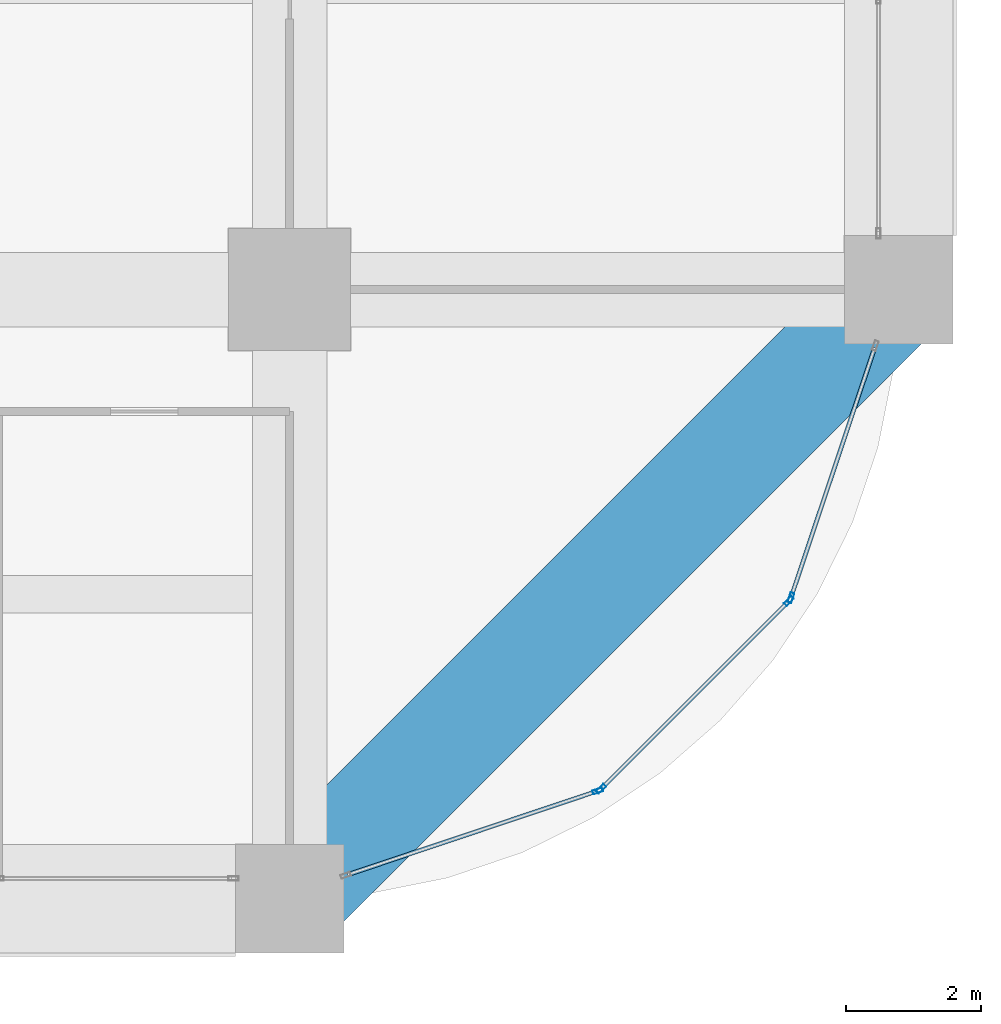
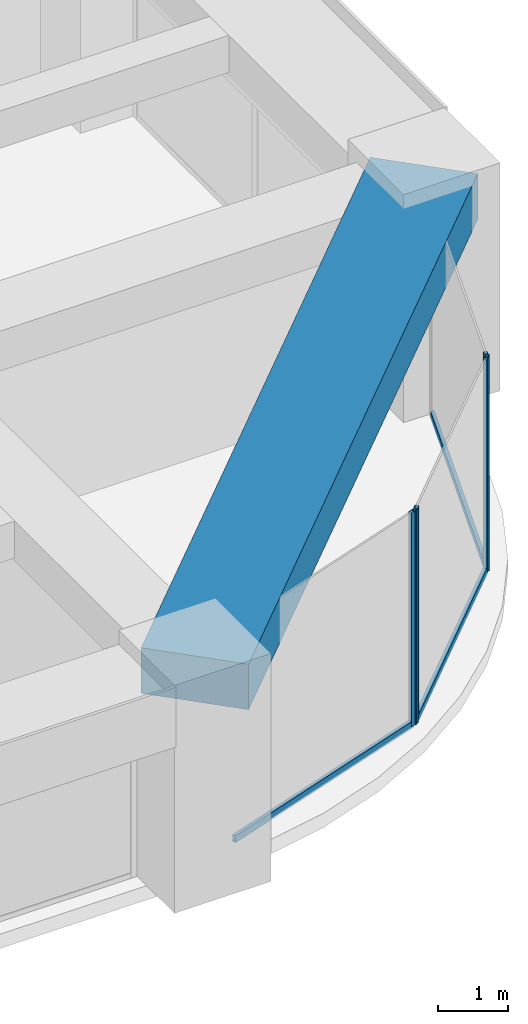
# One storey, part 17 of 43: 7 members, 1 beam, 3 elements without a shape of their own.
"""IFC4 building model written with IfcOpenShell, lengths in metres."""

from ifc_helpers import new_model, si_unit, direction, frame, origin, origin_2d, place, context, subcontext, project, spatial, rectangle, hollow_rectangle, extrude, material, material_profile, profile_set, type_object, element, aggregate, save


model = new_model("IFC4")

# Units and contexts
model_context = context("Model", 3, precision=1e-05, world=origin(), true_north=direction((0.0, 1.0)))
body_context = subcontext(model_context, "Body", "Model", "MODEL_VIEW")
ifc_project = project(units=[si_unit("LENGTHUNIT", "METRE"), si_unit("AREAUNIT", "SQUARE_METRE"), si_unit("VOLUMEUNIT", "CUBIC_METRE"), si_unit("PLANEANGLEUNIT", "RADIAN"), si_unit("MASSUNIT", "GRAM", prefix="KILO")], contexts=[model_context])

# Site, building, storey
site_placement = place(None, origin())
site = spatial("IfcSite", under=ifc_project, at=site_placement, CompositionType="ELEMENT")
building_placement = place(site_placement, origin())
building = spatial("IfcBuilding", under=site, at=building_placement, Name="Zorevar Civic Tower", CompositionType="ELEMENT")
storey_placement = place(building_placement, frame((0.0, 0.0, 145.0)))
storey = spatial("IfcBuildingStorey", under=building, at=storey_placement, Name="L35", CompositionType="ELEMENT", Elevation=145.0)

# Curtain wall, member
ifc_material_1 = material(Name="Dark grey solar-control glass in black aluminium frame", Category="aluminium")
curtain_wall_type = type_object("IfcCurtainWallType", Name="Curtain wall CW3 mid zone", PredefinedType="NOTDEFINED", material=ifc_material_1)
curtain_wall_1_placement = place(storey_placement, origin())
curtain_wall_1 = element("IfcCurtainWall", 1, at=curtain_wall_1_placement, inside=storey, type_object=curtain_wall_type, Name="CW3 L35", PredefinedType="NOTDEFINED")
ifc_material_2 = material(Name="Aluminium, black anodised", Category="aluminium")
ifc_material_profile_1 = material_profile(ifc_material_2, hollow_rectangle(XDim=0.06005859375, YDim=0.14990234375, WallThickness=0.00390625, at=origin_2d()), Name="AL 150x60x4")
ifc_profile_set_1 = profile_set([ifc_material_profile_1], Name="Aluminium, black anodised")
member_type_1 = type_object("IfcMemberType", Name="CW3 mullion AL 150x60x4", PredefinedType="MULLION", material=ifc_profile_set_1)
member_1_placement = place(storey_placement, frame((58.55078125, 1.59326171875, 0.0), z_axis=(0.0, 0.0, 1.0), x_axis=(-0.317592669603, 0.948227238701, 0.0)))
member_1 = element("IfcMember", 2, at=member_1_placement, type_object=member_type_1, Name="CW3 mullion 2", PredefinedType="MULLION", context=body_context, shape_type="SweptSolid", body=[
    extrude(hollow_rectangle(XDim=0.06005859375, YDim=0.14990234375, WallThickness=0.00390625, at=origin_2d()), origin(), (0.0, 0.0, 1.0), 3.75),
])

# Curtain wall, members
curtain_wall_2_placement = place(storey_placement, origin())
curtain_wall_2 = element("IfcCurtainWall", 3, at=curtain_wall_2_placement, inside=storey, type_object=curtain_wall_type, Name="CW3 L35", PredefinedType="NOTDEFINED")
member_2_placement = place(storey_placement, frame((58.600341796875, 1.6240234375, 0.0), z_axis=(0.0, 0.0, 1.0), x_axis=(-0.707106781187, 0.707106781187, 0.0)))
member_2 = element("IfcMember", 4, at=member_2_placement, type_object=member_type_1, Name="CW3 mullion 1", PredefinedType="MULLION", context=body_context, shape_type="SweptSolid", body=[
    extrude(hollow_rectangle(XDim=0.06005859375, YDim=0.14990234375, WallThickness=0.00390625, at=origin_2d()), origin(), (0.0, 0.0, 1.0), 3.75),
])
member_3_placement = place(storey_placement, frame((61.3759765625, 4.399658203125, 0.0), z_axis=(0.0, 0.0, 1.0), x_axis=(-0.707106781187, 0.707106781187, 0.0)))
member_3 = element("IfcMember", 5, at=member_3_placement, type_object=member_type_1, Name="CW3 mullion 2", PredefinedType="MULLION", context=body_context, shape_type="SweptSolid", body=[
    extrude(hollow_rectangle(XDim=0.06005859375, YDim=0.14990234375, WallThickness=0.00390625, at=origin_2d()), origin(), (0.0, 0.0, 1.0), 3.75),
])

# Curtain wall, member
curtain_wall_3_placement = place(storey_placement, origin())
curtain_wall_3 = element("IfcCurtainWall", 6, at=curtain_wall_3_placement, inside=storey, type_object=curtain_wall_type, Name="CW3 L35", PredefinedType="NOTDEFINED")
member_4_placement = place(storey_placement, frame((61.40673828125, 4.44921875, 0.0), z_axis=(0.0, 0.0, 1.0), x_axis=(-0.948227238701, 0.317592669603, 0.0)))
member_4 = element("IfcMember", 7, at=member_4_placement, type_object=member_type_1, Name="CW3 mullion 1", PredefinedType="MULLION", context=body_context, shape_type="SweptSolid", body=[
    extrude(hollow_rectangle(XDim=0.06005859375, YDim=0.14990234375, WallThickness=0.00390625, at=origin_2d()), origin(), (0.0, 0.0, 1.0), 3.75),
])

# Member
ifc_material_3 = material(Name="Aluminium, black anodised", Category="aluminium")
ifc_material_profile_2 = material_profile(ifc_material_3, hollow_rectangle(XDim=0.06005859375, YDim=0.1201171875, WallThickness=0.0029296875, at=origin_2d()), Name="AL 120x60x3")
ifc_profile_set_2 = profile_set([ifc_material_profile_2], Name="Aluminium, black anodised")
member_type_2 = type_object("IfcMemberType", Name="CW3 transom AL 120x60x3", PredefinedType="USERDEFINED", material=ifc_profile_set_2)
member_5_placement = place(storey_placement, frame((54.85693359375, 0.35595703125, 0.030029296875), z_axis=(0.94821488093, 0.317629563458, 0.0), x_axis=(-0.317629563458, 0.94821488093, 0.0)))
member_5 = element("IfcMember", 8, at=member_5_placement, type_object=member_type_2, Name="CW3 sill transom", ObjectType="TRANSOM", PredefinedType="USERDEFINED", context=body_context, shape_type="SweptSolid", body=[
    extrude(hollow_rectangle(XDim=0.06005859375, YDim=0.1201171875, WallThickness=0.0029296875, at=origin_2d()), origin(), (0.0, 0.0, 1.0), 3.865478515625),
])

aggregate(curtain_wall_1, [member_1, member_5])

member_6_placement = place(storey_placement, frame((58.62158203125, 1.64501953125, 0.030029296875), z_axis=(0.707106781187, 0.707106781187, 0.0), x_axis=(-0.707106781187, 0.707106781187, 0.0)))
member_6 = element("IfcMember", 9, at=member_6_placement, type_object=member_type_2, Name="CW3 sill transom", ObjectType="TRANSOM", PredefinedType="USERDEFINED", context=body_context, shape_type="SweptSolid", body=[
    extrude(hollow_rectangle(XDim=0.06005859375, YDim=0.1201171875, WallThickness=0.0029296875, at=origin_2d()), origin(), (0.0, 0.0, 1.0), 3.86572265625),
])

aggregate(curtain_wall_2, [member_2, member_3, member_6])

member_7_placement = place(storey_placement, frame((61.416259765625, 4.477783203125, 0.030029296875), z_axis=(0.317629563458, 0.94821488093, 0.0), x_axis=(-0.94821488093, 0.317629563458, 0.0)))
member_7 = element("IfcMember", 10, at=member_7_placement, type_object=member_type_2, Name="CW3 sill transom", ObjectType="TRANSOM", PredefinedType="USERDEFINED", context=body_context, shape_type="SweptSolid", body=[
    extrude(hollow_rectangle(XDim=0.06005859375, YDim=0.1201171875, WallThickness=0.0029296875, at=origin_2d()), origin(), (0.0, 0.0, 1.0), 3.865478515625),
])

aggregate(curtain_wall_3, [member_4, member_7])

# Beam
ifc_material_4 = material(Name="Concrete C50/60", Category="concrete")
ifc_material_profile_3 = material_profile(ifc_material_4, rectangle(XDim=1.60009765625, YDim=0.800048828125, at=origin_2d()), Name="RC 1600x800")
ifc_profile_set_3 = profile_set([ifc_material_profile_3], Name="Concrete C50/60")
beam_type = type_object("IfcBeamType", Name="Edge beam RC 1600x800", PredefinedType="SPANDREL", material=ifc_profile_set_3)
beam_placement = place(storey_placement, frame((54.0, 0.0, 3.35009765625), z_axis=(0.707106781187, 0.707106781187, 0.0), x_axis=(-0.707106781187, 0.707106781187, 0.0)))
element("IfcBeam", 11, at=beam_placement, inside=storey, type_object=beam_type, Name="Corner edge beam L36", PredefinedType="SPANDREL", context=body_context, shape_type="SweptSolid", body=[
    extrude(rectangle(XDim=1.60009765625, YDim=0.800048828125, at=origin_2d()), origin(), (0.0, 0.0, 1.0), 12.72802734375),
])

save(model, "model.ifc")
